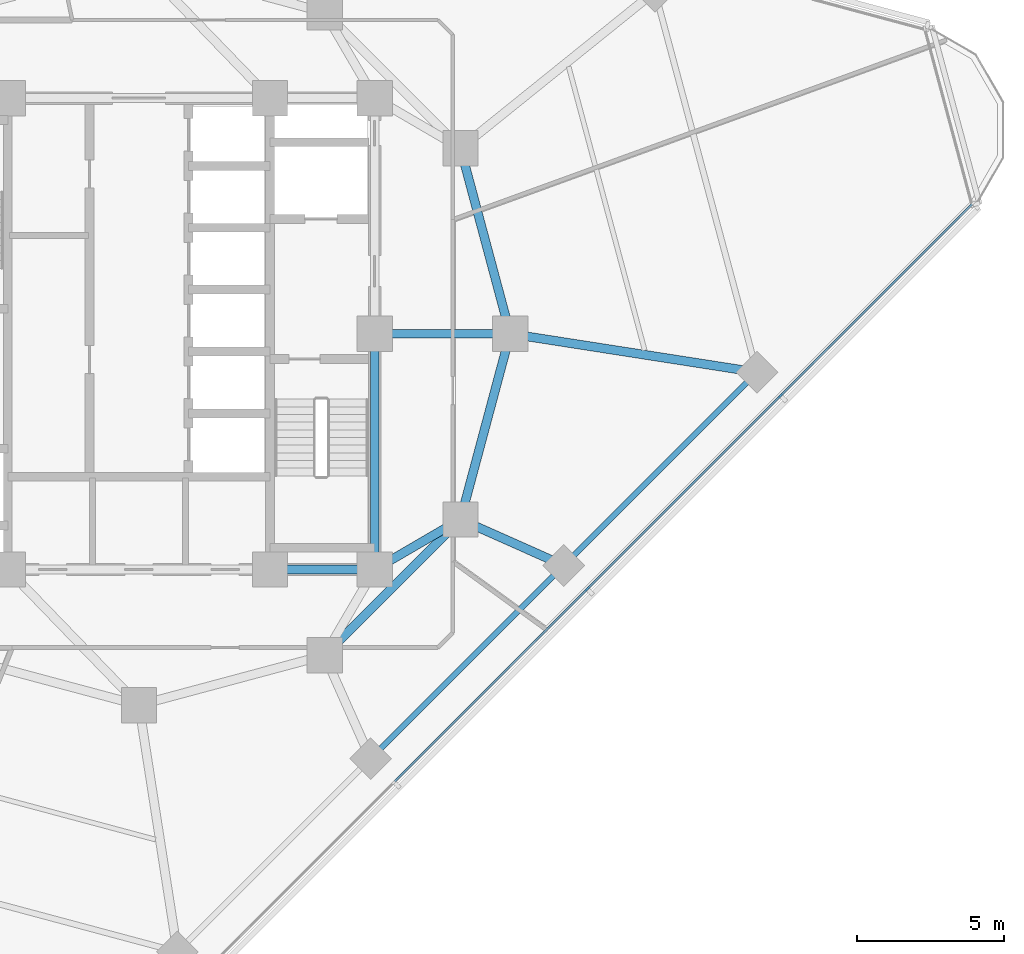
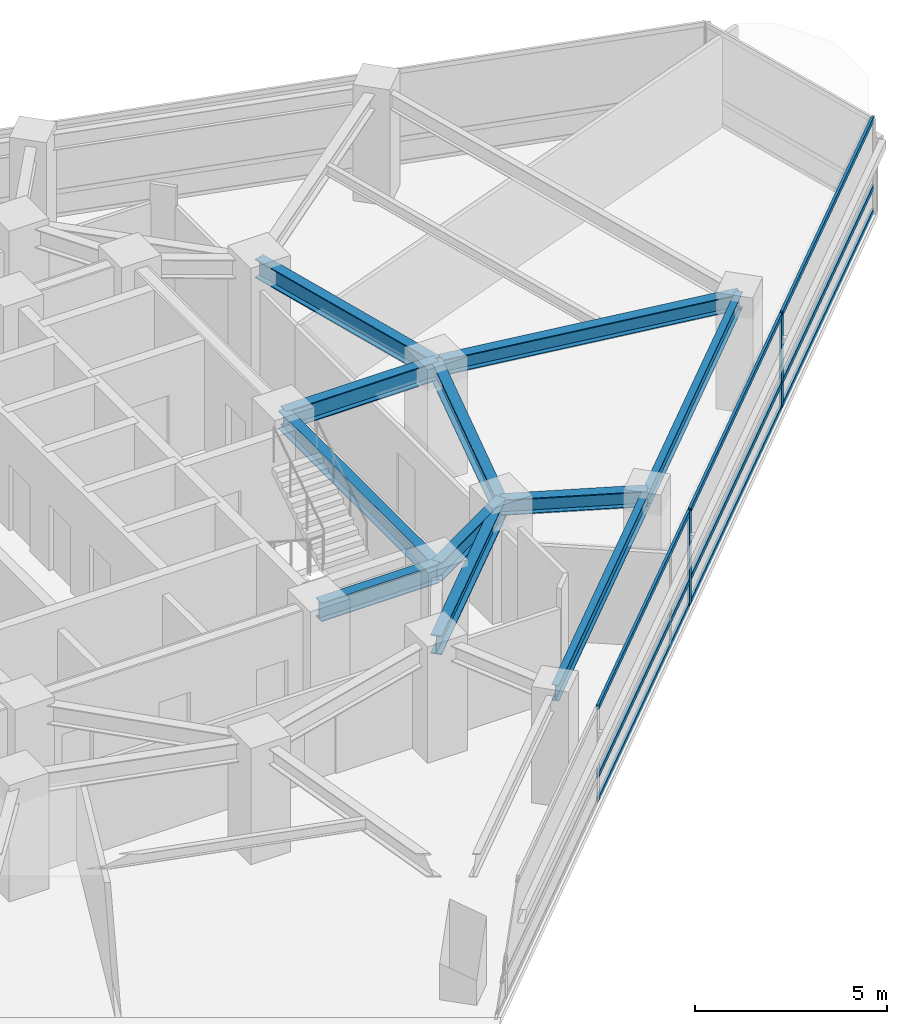
# One storey, part 3 of 13: 11 beams, 11 members, 1 element without a shape of its own.
"""IFC4 building model written with IfcOpenShell, lengths in metres."""

from ifc_helpers import new_model, si_unit, direction, frame, origin, origin_2d, place, context, subcontext, project, spatial, rectangle, i_section, extrude, material, layer, layer_set, material_profile, profile_set, type_object, element, aggregate, save


model = new_model("IFC4")

# Units and contexts
model_context = context("Model", 3, precision=1e-05, world=origin(), true_north=direction((0.0, 1.0)))
body_context = subcontext(model_context, "Body", "Model", "MODEL_VIEW")
ifc_project = project(units=[si_unit("LENGTHUNIT", "METRE"), si_unit("AREAUNIT", "SQUARE_METRE"), si_unit("VOLUMEUNIT", "CUBIC_METRE"), si_unit("PLANEANGLEUNIT", "RADIAN"), si_unit("MASSUNIT", "GRAM", prefix="KILO")], contexts=[model_context])

# Site, building, storey
site_placement = place(None, origin())
site = spatial("IfcSite", under=ifc_project, at=site_placement, CompositionType="ELEMENT")
building_placement = place(site_placement, origin())
building = spatial("IfcBuilding", under=site, at=building_placement, Name="Terralouvre Media Tower", CompositionType="ELEMENT")
storey_placement = place(building_placement, frame((0.0, 0.0, 199.0)))
storey = spatial("IfcBuildingStorey", under=building, at=storey_placement, Name="L51", CompositionType="ELEMENT", Elevation=199.0)

# Curtain wall, members
ifc_material_1 = material(Name="Low-iron laminated double glazing with solar-control coating", Category="glass")
ifc_layer = layer(ifc_material_1, 0.1650390625, Name="Production Studio Tower Curtain Wall CW-03")
ifc_layer_set = layer_set([ifc_layer], Name="Low-iron laminated double glazing with solar-control coating")
curtain_wall_type = type_object("IfcCurtainWallType", Name="Production Studio Tower Curtain Wall CW-03", PredefinedType="NOTDEFINED", material=ifc_layer_set)
curtain_wall_placement = place(storey_placement, origin())
curtain_wall = element("IfcCurtainWall", 1, at=curtain_wall_placement, inside=storey, type_object=curtain_wall_type, Name="L51 Facade Curtain Wall F0", PredefinedType="NOTDEFINED")
ifc_material_2 = material(Name="Anodised extruded aluminium 6063-T6", Category="aluminium")
ifc_material_profile_1 = material_profile(ifc_material_2, rectangle(XDim=0.074951171875, YDim=0.14990234375, at=origin_2d()), Name="ALU 75x150")
ifc_profile_set_1 = profile_set([ifc_material_profile_1], Name="Anodised extruded aluminium 6063-T6")
member_type_1 = type_object("IfcMemberType", Name="Curtain-Wall Horizontal Transom TR-150", PredefinedType="USERDEFINED", material=ifc_profile_set_1)
member_1_placement = place(storey_placement, frame((8.6865234375, -15.189697265625, 0.03759765625), z_axis=(0.707106781187, 0.707106781187, 0.0), x_axis=(-0.707106781187, 0.707106781187, 0.0)))
member_1 = element("IfcMember", 2, at=member_1_placement, type_object=member_type_1, Name="CW-03 transom 3.1", ObjectType="TRANSOM", PredefinedType="USERDEFINED", context=body_context, shape_type="SweptSolid", body=[
    extrude(rectangle(XDim=0.074951171875, YDim=0.14990234375, at=origin_2d()), origin(), (0.0, 0.0, 1.0), 9.19677734375),
])
member_2_placement = place(storey_placement, frame((8.6865234375, -15.189697265625, 0.800048828125), z_axis=(0.707106781187, 0.707106781187, 0.0), x_axis=(-0.707106781187, 0.707106781187, 0.0)))
member_2 = element("IfcMember", 3, at=member_2_placement, type_object=member_type_1, Name="CW-03 transom 3.2", ObjectType="TRANSOM", PredefinedType="USERDEFINED", context=body_context, shape_type="SweptSolid", body=[
    extrude(rectangle(XDim=0.074951171875, YDim=0.14990234375, at=origin_2d()), origin(), (0.0, 0.0, 1.0), 9.19677734375),
])
member_3_placement = place(storey_placement, frame((8.6865234375, -15.189697265625, 2.96240234375), z_axis=(0.707106781187, 0.707106781187, 0.0), x_axis=(-0.707106781187, 0.707106781187, 0.0)))
member_3 = element("IfcMember", 4, at=member_3_placement, type_object=member_type_1, Name="CW-03 transom 3.3", ObjectType="TRANSOM", PredefinedType="USERDEFINED", context=body_context, shape_type="SweptSolid", body=[
    extrude(rectangle(XDim=0.074951171875, YDim=0.14990234375, at=origin_2d()), origin(), (0.0, 0.0, 1.0), 9.19677734375),
])
member_4_placement = place(storey_placement, frame((15.24267578125, -8.63330078125, 0.03759765625), z_axis=(0.707120053831, 0.707093508293, 0.0), x_axis=(-0.707093508293, 0.707120053831, 0.0)))
member_4 = element("IfcMember", 5, at=member_4_placement, type_object=member_type_1, Name="CW-03 transom 4.1", ObjectType="TRANSOM", PredefinedType="USERDEFINED", context=body_context, shape_type="SweptSolid", body=[
    extrude(rectangle(XDim=0.074951171875, YDim=0.14990234375, at=origin_2d()), origin(), (0.0, 0.0, 1.0), 9.197021484375),
])
member_5_placement = place(storey_placement, frame((15.24267578125, -8.63330078125, 0.800048828125), z_axis=(0.707120053831, 0.707093508293, 0.0), x_axis=(-0.707093508293, 0.707120053831, 0.0)))
member_5 = element("IfcMember", 6, at=member_5_placement, type_object=member_type_1, Name="CW-03 transom 4.2", ObjectType="TRANSOM", PredefinedType="USERDEFINED", context=body_context, shape_type="SweptSolid", body=[
    extrude(rectangle(XDim=0.074951171875, YDim=0.14990234375, at=origin_2d()), origin(), (0.0, 0.0, 1.0), 9.197021484375),
])
member_6_placement = place(storey_placement, frame((15.24267578125, -8.63330078125, 2.96240234375), z_axis=(0.707120053831, 0.707093508293, 0.0), x_axis=(-0.707093508293, 0.707120053831, 0.0)))
member_6 = element("IfcMember", 7, at=member_6_placement, type_object=member_type_1, Name="CW-03 transom 4.3", ObjectType="TRANSOM", PredefinedType="USERDEFINED", context=body_context, shape_type="SweptSolid", body=[
    extrude(rectangle(XDim=0.074951171875, YDim=0.14990234375, at=origin_2d()), origin(), (0.0, 0.0, 1.0), 9.197021484375),
])
member_7_placement = place(storey_placement, frame((21.799072265625, -2.0771484375, 0.03759765625), z_axis=(0.707106781187, 0.707106781187, 0.0), x_axis=(-0.707106781187, 0.707106781187, 0.0)))
member_7 = element("IfcMember", 8, at=member_7_placement, type_object=member_type_1, Name="CW-03 transom 5.1", ObjectType="TRANSOM", PredefinedType="USERDEFINED", context=body_context, shape_type="SweptSolid", body=[
    extrude(rectangle(XDim=0.074951171875, YDim=0.14990234375, at=origin_2d()), origin(), (0.0, 0.0, 1.0), 9.15966796875),
])
member_8_placement = place(storey_placement, frame((21.799072265625, -2.0771484375, 0.800048828125), z_axis=(0.707106781187, 0.707106781187, 0.0), x_axis=(-0.707106781187, 0.707106781187, 0.0)))
member_8 = element("IfcMember", 9, at=member_8_placement, type_object=member_type_1, Name="CW-03 transom 5.2", ObjectType="TRANSOM", PredefinedType="USERDEFINED", context=body_context, shape_type="SweptSolid", body=[
    extrude(rectangle(XDim=0.074951171875, YDim=0.14990234375, at=origin_2d()), origin(), (0.0, 0.0, 1.0), 9.15966796875),
])
member_9_placement = place(storey_placement, frame((21.799072265625, -2.0771484375, 2.96240234375), z_axis=(0.707106781187, 0.707106781187, 0.0), x_axis=(-0.707106781187, 0.707106781187, 0.0)))
member_9 = element("IfcMember", 10, at=member_9_placement, type_object=member_type_1, Name="CW-03 transom 5.3", ObjectType="TRANSOM", PredefinedType="USERDEFINED", context=body_context, shape_type="SweptSolid", body=[
    extrude(rectangle(XDim=0.074951171875, YDim=0.14990234375, at=origin_2d()), origin(), (0.0, 0.0, 1.0), 9.15966796875),
])
ifc_material_3 = material(Name="Anodised extruded aluminium 6063-T6", Category="aluminium")
ifc_material_profile_2 = material_profile(ifc_material_3, rectangle(XDim=0.074951171875, YDim=0.179931640625, at=origin_2d()), Name="ALU 75x180")
ifc_profile_set_2 = profile_set([ifc_material_profile_2], Name="Anodised extruded aluminium 6063-T6")
member_type_2 = type_object("IfcMemberType", Name="Curtain-Wall Vertical Mullion ML-180", PredefinedType="MULLION", material=ifc_profile_set_2)
member_10_placement = place(storey_placement, frame((15.21630859375, -8.659912109375, 0.0), z_axis=(0.0, 0.0, 1.0), x_axis=(-0.707106781187, 0.707106781187, 0.0)))
member_10 = element("IfcMember", 11, at=member_10_placement, type_object=member_type_2, Name="CW-03 mullion 4", PredefinedType="MULLION", context=body_context, shape_type="SweptSolid", body=[
    extrude(rectangle(XDim=0.074951171875, YDim=0.179931640625, at=origin_2d()), origin(), (0.0, 0.0, 1.0), 3.0),
])
member_11_placement = place(storey_placement, frame((21.7724609375, -2.103515625, 0.0), z_axis=(0.0, 0.0, 1.0), x_axis=(-0.707106781187, 0.707106781187, 0.0)))
member_11 = element("IfcMember", 12, at=member_11_placement, type_object=member_type_2, Name="CW-03 mullion 5", PredefinedType="MULLION", context=body_context, shape_type="SweptSolid", body=[
    extrude(rectangle(XDim=0.074951171875, YDim=0.179931640625, at=origin_2d()), origin(), (0.0, 0.0, 1.0), 3.0),
])
aggregate(curtain_wall, [member_10, member_11, member_1, member_2, member_3, member_4, member_5, member_6, member_7, member_8, member_9])

# Beams
ifc_material_4 = material(Name="Structural steel S355J2", Category="steel")
ifc_material_profile_3 = material_profile(ifc_material_4, i_section(OverallWidth=0.199951171875, OverallDepth=0.5, WebThickness=0.01025390625, FlangeThickness=0.01611328125, at=origin_2d()), Name="IPE 500")
ifc_profile_set_3 = profile_set([ifc_material_profile_3], Name="Structural steel S355J2")
beam_type_1 = type_object("IfcBeamType", Name="Perimeter Spandrel Beam SPB-500 (IPE 500)", PredefinedType="SPANDREL", material=ifc_profile_set_3)
beam_1_placement = place(storey_placement, frame((7.86083984375, -14.417236328125, 3.25), z_axis=(0.707106781187, 0.707106781187, 0.0), x_axis=(-0.707106781187, 0.707106781187, 0.0)))
element("IfcBeam", 13, at=beam_1_placement, inside=storey, type_object=beam_type_1, Name="L51 Framing Beam BM-L51-PR04", PredefinedType="SPANDREL", context=body_context, shape_type="SweptSolid", body=[
    extrude(i_section(OverallWidth=0.199951171875, OverallDepth=0.5, WebThickness=0.01025390625, FlangeThickness=0.01611328125, at=origin_2d()), origin(), (0.0, 0.0, 1.0), 9.272216796875),
])
beam_2_placement = place(storey_placement, frame((14.417236328125, -7.86083984375, 3.25), z_axis=(0.707106781187, 0.707106781187, 0.0), x_axis=(-0.707106781187, 0.707106781187, 0.0)))
element("IfcBeam", 14, at=beam_2_placement, inside=storey, type_object=beam_type_1, Name="L51 Framing Beam BM-L51-PR05", PredefinedType="SPANDREL", context=body_context, shape_type="SweptSolid", body=[
    extrude(i_section(OverallWidth=0.199951171875, OverallDepth=0.5, WebThickness=0.01025390625, FlangeThickness=0.01611328125, at=origin_2d()), origin(), (0.0, 0.0, 1.0), 9.271728515625),
])
ifc_material_5 = material(Name="Structural steel S355J2", Category="steel")
ifc_material_profile_4 = material_profile(ifc_material_5, i_section(OverallWidth=0.300048828125, OverallDepth=0.5, WebThickness=0.014404296875, FlangeThickness=0.028076171875, at=origin_2d()), Name="HEB 500")
ifc_profile_set_4 = profile_set([ifc_material_profile_4], Name="Structural steel S355J2")
beam_type_2 = type_object("IfcBeamType", Name="Primary Floor Girder B-HEB500 (HEB 500)", PredefinedType="BEAM", material=ifc_profile_set_4)
beam_3_placement = place(storey_placement, frame((10.911865234375, -6.300048828125, 3.25), z_axis=(0.913535846257, -0.406758229915, 0.0), x_axis=(0.406758229915, 0.913535846257, 0.0)))
element("IfcBeam", 15, at=beam_3_placement, inside=storey, type_object=beam_type_2, Name="L51 Framing Beam BM-L51-RD05", PredefinedType="BEAM", context=body_context, shape_type="SweptSolid", body=[
    extrude(i_section(OverallWidth=0.300048828125, OverallDepth=0.5, WebThickness=0.014404296875, FlangeThickness=0.028076171875, at=origin_2d()), origin(), (0.0, 0.0, 1.0), 3.837158203125),
])
beam_4_placement = place(storey_placement, frame((12.60009765625, 0.0, 3.25), z_axis=(0.988077445791, -0.153957660154, 0.0), x_axis=(0.153957660154, 0.988077445791, 0.0)))
element("IfcBeam", 16, at=beam_4_placement, inside=storey, type_object=beam_type_2, Name="L51 Framing Beam BM-L51-RD06", PredefinedType="BEAM", context=body_context, shape_type="SweptSolid", body=[
    extrude(i_section(OverallWidth=0.300048828125, OverallDepth=0.5, WebThickness=0.014404296875, FlangeThickness=0.028076171875, at=origin_2d()), origin(), (0.0, 0.0, 1.0), 8.474365234375),
])
ifc_material_6 = material(Name="Structural steel S460M", Category="steel")
ifc_material_profile_5 = material_profile(ifc_material_6, i_section(OverallWidth=0.300048828125, OverallDepth=0.60009765625, WebThickness=0.015380859375, FlangeThickness=0.030029296875, at=origin_2d()), Name="HEB 600")
ifc_profile_set_5 = profile_set([ifc_material_profile_5], Name="Structural steel S460M")
beam_type_3 = type_object("IfcBeamType", Name="Primary Floor Girder B-HEB600 (HEB 600)", PredefinedType="BEAM", material=ifc_profile_set_5)
beam_5_placement = place(storey_placement, frame((4.449951171875, -8.0, 3.199951171875), z_axis=(1.0, 0.0, 0.0), x_axis=(0.0, 1.0, 0.0)))
element("IfcBeam", 17, at=beam_5_placement, inside=storey, type_object=beam_type_3, Name="L51 Framing Beam BM-L51-CPR03", PredefinedType="BEAM", context=body_context, shape_type="SweptSolid", body=[
    extrude(i_section(OverallWidth=0.300048828125, OverallDepth=0.60009765625, WebThickness=0.015380859375, FlangeThickness=0.030029296875, at=origin_2d()), origin(), (0.0, 0.0, 1.0), 3.550048828125),
])
beam_6_placement = place(storey_placement, frame((8.0, -8.0, 3.199951171875), z_axis=(0.0, 1.0, 0.0), x_axis=(-1.0, 0.0, 0.0)))
element("IfcBeam", 18, at=beam_6_placement, inside=storey, type_object=beam_type_3, Name="L51 Framing Beam BM-L51-CPR04", PredefinedType="BEAM", context=body_context, shape_type="SweptSolid", body=[
    extrude(i_section(OverallWidth=0.300048828125, OverallDepth=0.60009765625, WebThickness=0.015380859375, FlangeThickness=0.030029296875, at=origin_2d()), origin(), (0.0, 0.0, 1.0), 8.0),
])
beam_7_placement = place(storey_placement, frame((6.300048828125, -10.911865234375, 3.199951171875), z_axis=(0.707106781187, 0.707106781187, 0.0), x_axis=(-0.707106781187, 0.707106781187, 0.0)))
element("IfcBeam", 19, at=beam_7_placement, inside=storey, type_object=beam_type_3, Name="L51 Framing Beam BM-L51-MR04", PredefinedType="BEAM", context=body_context, shape_type="SweptSolid", body=[
    extrude(i_section(OverallWidth=0.300048828125, OverallDepth=0.60009765625, WebThickness=0.015380859375, FlangeThickness=0.030029296875, at=origin_2d()), origin(), (0.0, 0.0, 1.0), 6.52197265625),
])
for number, where, z_axis, x_axis, name in (
    (20, (10.911865234375, -6.300048828125, 3.199951171875), (0.258838989821, 0.965920481897, 0.0), (-0.965920481897, 0.258838989821, 0.0), "L51 Framing Beam BM-L51-MR05"),
    (21, (12.60009765625, 0.0, 3.199951171875), (-0.258838989821, 0.965920481897, 0.0), (-0.965920481897, -0.258838989821, 0.0), "L51 Framing Beam BM-L51-MR06"),
):
    element("IfcBeam", number, at=place(storey_placement, frame(where, z_axis=z_axis, x_axis=x_axis)), inside=storey, type_object=beam_type_3, Name=name, PredefinedType="BEAM", context=body_context, shape_type="SweptSolid", body=[
        extrude(i_section(OverallWidth=0.300048828125, OverallDepth=0.60009765625, WebThickness=0.015380859375, FlangeThickness=0.030029296875, at=origin_2d()), origin(), (0.0, 0.0, 1.0), 6.522216796875),
    ])
beam_8_placement = place(storey_placement, frame((8.0, -8.0, 3.199951171875), z_axis=(0.863602894532, 0.504172629717, 0.0), x_axis=(-0.504172629717, 0.863602894532, 0.0)))
element("IfcBeam", 22, at=beam_8_placement, inside=storey, type_object=beam_type_3, Name="L51 Framing Beam BM-L51-CM05", PredefinedType="BEAM", context=body_context, shape_type="SweptSolid", body=[
    extrude(i_section(OverallWidth=0.300048828125, OverallDepth=0.60009765625, WebThickness=0.015380859375, FlangeThickness=0.030029296875, at=origin_2d()), origin(), (0.0, 0.0, 1.0), 3.371826171875),
])
beam_9_placement = place(storey_placement, frame((8.0, 0.0, 3.199951171875), z_axis=(1.0, 0.0, 0.0), x_axis=(0.0, 1.0, 0.0)))
element("IfcBeam", 23, at=beam_9_placement, inside=storey, type_object=beam_type_3, Name="L51 Framing Beam BM-L51-CM06", PredefinedType="BEAM", context=body_context, shape_type="SweptSolid", body=[
    extrude(i_section(OverallWidth=0.300048828125, OverallDepth=0.60009765625, WebThickness=0.015380859375, FlangeThickness=0.030029296875, at=origin_2d()), origin(), (0.0, 0.0, 1.0), 4.60009765625),
])

save(model, "model.ifc")
